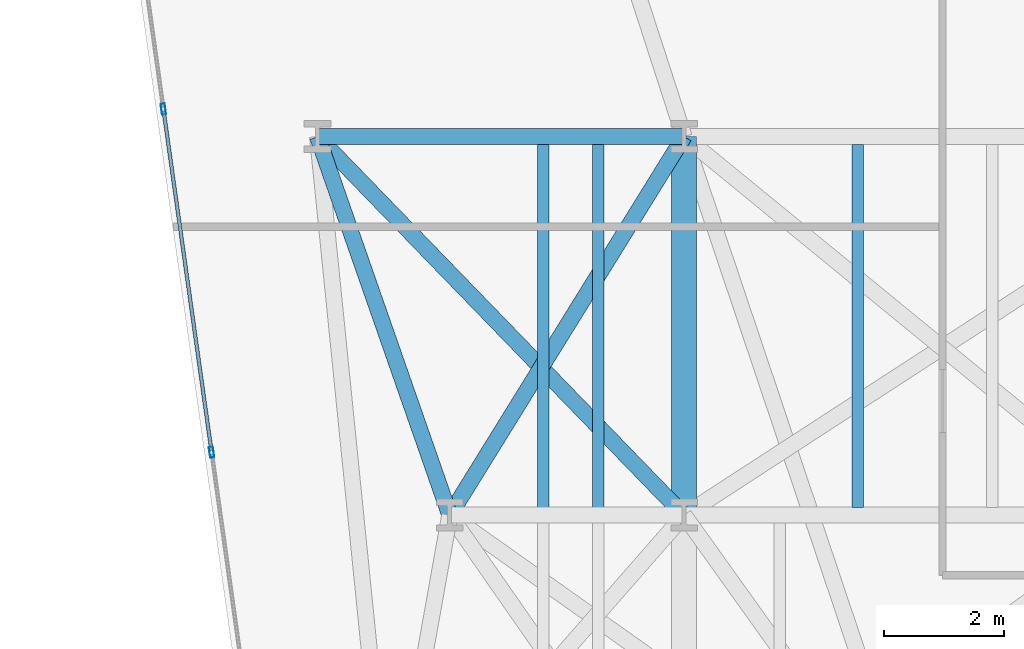
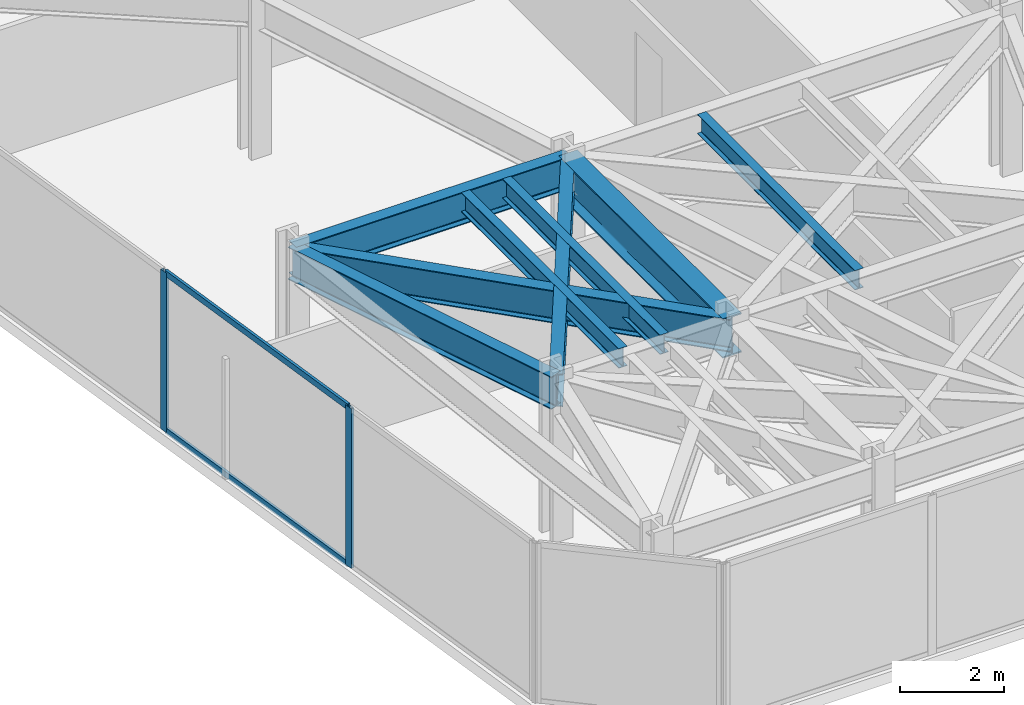
# One storey, part 4 of 24: 8 beams, 4 members, 1 element without a shape of its own.
"""IFC4 building model written with IfcOpenShell, lengths in metres."""

from ifc_helpers import new_model, si_unit, direction, frame, origin, origin_2d, place, context, subcontext, project, spatial, hollow_rectangle, i_section, extrude, material, layer, layer_set, material_profile, profile_set, type_object, element, aggregate, save


model = new_model("IFC4")

# Units and contexts
model_context = context("Model", 3, precision=1e-05, world=origin(), true_north=direction((0.0, 1.0)))
body_context = subcontext(model_context, "Body", "Model", "MODEL_VIEW")
ifc_project = project(units=[si_unit("LENGTHUNIT", "METRE"), si_unit("AREAUNIT", "SQUARE_METRE"), si_unit("VOLUMEUNIT", "CUBIC_METRE"), si_unit("PLANEANGLEUNIT", "RADIAN"), si_unit("MASSUNIT", "GRAM", prefix="KILO")], contexts=[model_context])

# Site, building, storey
site_placement = place(None, origin())
site = spatial("IfcSite", under=ifc_project, at=site_placement, CompositionType="ELEMENT")
building_placement = place(site_placement, origin())
building = spatial("IfcBuilding", under=site, at=building_placement, Name="Kravanh Interchange Tower", CompositionType="ELEMENT")
storey_placement = place(building_placement, frame((0.0, 0.0, 37.5)))
storey = spatial("IfcBuildingStorey", under=building, at=storey_placement, Name="L08", CompositionType="ELEMENT", Elevation=37.5)

# Curtain wall, members
ifc_material_1 = material(Name="Anodised Bronze Aluminium", Category="aluminium")
ifc_layer = layer(ifc_material_1, 0.179931640625)
ifc_layer_set = layer_set([ifc_layer], Name="Unitised Curtain Wall System CW-Z1 Lower Office")
curtain_wall_type = type_object("IfcCurtainWallType", Name="Unitised Curtain Wall System CW-Z1 Lower Office", PredefinedType="NOTDEFINED", material=ifc_layer_set)
curtain_wall_placement = place(storey_placement, origin())
curtain_wall = element("IfcCurtainWall", 1, at=curtain_wall_placement, inside=storey, type_object=curtain_wall_type, Name="L08 Unitised Curtain Wall CW-L08-01", PredefinedType="NOTDEFINED")
ifc_material_2 = material(Name="Anodised Bronze Aluminium", Category="aluminium")
ifc_material_profile_1 = material_profile(ifc_material_2, hollow_rectangle(XDim=0.070068359375, YDim=0.179931640625, WallThickness=0.00390625, at=origin_2d()), Name="ALU70X180X4")
ifc_profile_set_1 = profile_set([ifc_material_profile_1], Name="Anodised Bronze Aluminium")
member_type_1 = type_object("IfcMemberType", Name="Curtain Wall Mullion ALU70X180X4 Bronze", PredefinedType="MULLION", material=ifc_profile_set_1)
member_1_placement = place(storey_placement, frame((9.6376953125, 9.247314453125, 0.0), z_axis=(0.0, 0.0, 1.0), x_axis=(-0.990267585682, -0.139176538065, 0.0)))
member_1 = element("IfcMember", 2, at=member_1_placement, type_object=member_type_1, Name="CW-Z1 mullion 2", PredefinedType="MULLION", context=body_context, shape_type="SweptSolid", body=[
    extrude(hollow_rectangle(XDim=0.070068359375, YDim=0.179931640625, WallThickness=0.00390625, at=origin_2d()), origin(), (0.0, 0.0, 1.0), 3.739990234375),
])
member_2_placement = place(storey_placement, frame((8.835205078125, 14.957763671875, 0.0), z_axis=(0.0, 0.0, 1.0), x_axis=(-0.990267585682, -0.139176538065, 0.0)))
member_2 = element("IfcMember", 3, at=member_2_placement, type_object=member_type_1, Name="CW-Z1 mullion 3", PredefinedType="MULLION", context=body_context, shape_type="SweptSolid", body=[
    extrude(hollow_rectangle(XDim=0.070068359375, YDim=0.179931640625, WallThickness=0.00390625, at=origin_2d()), origin(), (0.0, 0.0, 1.0), 3.739990234375),
])
ifc_material_3 = material(Name="Anodised Bronze Aluminium", Category="aluminium")
ifc_material_profile_2 = material_profile(ifc_material_3, hollow_rectangle(XDim=0.06005859375, YDim=0.139892578125, WallThickness=0.00390625, at=origin_2d()), Name="ALU60X140X4")
ifc_profile_set_2 = profile_set([ifc_material_profile_2], Name="Anodised Bronze Aluminium")
member_type_2 = type_object("IfcMemberType", Name="Curtain Wall Transom ALU60X140X4 Bronze", PredefinedType="USERDEFINED", material=ifc_profile_set_2)
member_3_placement = place(storey_placement, frame((9.633056640625, 9.281982421875, 0.030029296875), z_axis=(-0.139200984921, 0.990264149506, 0.0), x_axis=(-0.990264149506, -0.139200984921, 0.0)))
member_3 = element("IfcMember", 4, at=member_3_placement, type_object=member_type_2, Name="CW-Z1 transom 2.1", ObjectType="TRANSOM", PredefinedType="USERDEFINED", context=body_context, shape_type="SweptSolid", body=[
    extrude(hollow_rectangle(XDim=0.06005859375, YDim=0.139892578125, WallThickness=0.00390625, at=origin_2d()), origin(), (0.0, 0.0, 1.0), 5.696533203125),
])
member_4_placement = place(storey_placement, frame((9.633056640625, 9.281982421875, 3.7099609375), z_axis=(-0.139200984921, 0.990264149506, 0.0), x_axis=(-0.990264149506, -0.139200984921, 0.0)))
member_4 = element("IfcMember", 5, at=member_4_placement, type_object=member_type_2, Name="CW-Z1 transom 2.2", ObjectType="TRANSOM", PredefinedType="USERDEFINED", context=body_context, shape_type="SweptSolid", body=[
    extrude(hollow_rectangle(XDim=0.06005859375, YDim=0.139892578125, WallThickness=0.00390625, at=origin_2d()), origin(), (0.0, 0.0, 1.0), 5.696533203125),
])
aggregate(curtain_wall, [member_1, member_2, member_3, member_4])

# Beams
ifc_material_4 = material(Name="Structural Steel S355", Category="steel")
ifc_material_profile_3 = material_profile(ifc_material_4, i_section(OverallWidth=0.41796875, OverallDepth=0.927001953125, WebThickness=0.019287109375, FlangeThickness=0.031982421875, FilletRadius=0.028076171875, at=origin_2d()), Name="W36X231")
ifc_profile_set_3 = profile_set([ifc_material_profile_3], Name="Structural Steel S355")
beam_type_1 = type_object("IfcBeamType", Name="Floor Beam W36X231 Structural Steel S355", PredefinedType="BEAM", material=ifc_profile_set_3)
beam_1_placement = place(storey_placement, frame((17.5, 8.199951171875, 3.276611328125), z_axis=(0.0, 1.0, 0.0), x_axis=(-1.0, 0.0, 0.0)))
element("IfcBeam", 6, at=beam_1_placement, inside=storey, type_object=beam_type_1, Name="L08 Primary Floor Girder 136", PredefinedType="BEAM", context=body_context, shape_type="SweptSolid", body=[
    extrude(i_section(OverallWidth=0.41796875, OverallDepth=0.927001953125, WebThickness=0.019287109375, FlangeThickness=0.031982421875, FilletRadius=0.028076171875, at=origin_2d()), origin(), (0.0, 0.0, 1.0), 6.300048828125),
])
ifc_material_5 = material(Name="Structural Steel S355", Category="steel")
ifc_material_profile_4 = material_profile(ifc_material_5, i_section(OverallWidth=0.18994140625, OverallDepth=0.45703125, WebThickness=0.009033203125, FlangeThickness=0.014404296875, FilletRadius=0.01806640625, at=origin_2d()), Name="W18X50")
ifc_profile_set_4 = profile_set([ifc_material_profile_4], Name="Structural Steel S355")
beam_type_2 = type_object("IfcBeamType", Name="Floor Joist W18X50 Structural Steel S355", PredefinedType="JOIST", material=ifc_profile_set_4)
for number, where, z_axis, x_axis, name in (
    (7, (15.159912109375, 8.32861328125, 3.511474609375), (0.0, 1.0, 0.0), (-1.0, 0.0, 0.0), "L08 Secondary Floor Joist 7"),
    (8, (16.070068359375, 8.32861328125, 3.511474609375), (0.0, 1.0, 0.0), (-1.0, 0.0, 0.0), "L08 Secondary Floor Joist 8"),
    (9, (20.389892578125, 8.32861328125, 3.511474609375), (0.0, 1.0, 0.0), (-1.0, 0.0, 0.0), "L08 Secondary Floor Joist 9"),
):
    element("IfcBeam", number, at=place(storey_placement, frame(where, z_axis=z_axis, x_axis=x_axis)), inside=storey, type_object=beam_type_2, Name=name, PredefinedType="JOIST", context=body_context, shape_type="SweptSolid", body=[
        extrude(i_section(OverallWidth=0.18994140625, OverallDepth=0.45703125, WebThickness=0.009033203125, FlangeThickness=0.014404296875, FilletRadius=0.01806640625, at=origin_2d()), origin(), (0.0, 0.0, 1.0), 6.04296875),
    ])
ifc_material_6 = material(Name="Structural Steel S355", Category="steel")
ifc_material_profile_5 = material_profile(ifc_material_6, i_section(OverallWidth=0.26708984375, OverallDepth=0.761962890625, WebThickness=0.014404296875, FlangeThickness=0.021484375, FilletRadius=0.02490234375, at=origin_2d()), Name="W30X116")
ifc_profile_set_5 = profile_set([ifc_material_profile_5], Name="Structural Steel S355")
beam_type_3 = type_object("IfcBeamType", Name="Floor Spandrel W30X116 Structural Steel S355", PredefinedType="SPANDREL", material=ifc_profile_set_5)
beam_2_placement = place(storey_placement, frame((13.60009765625, 8.199951171875, 3.35888671875), z_axis=(-0.329706642337, 0.944083433812, 0.0), x_axis=(-0.944083433812, -0.329706642337, 0.0)))
element("IfcBeam", 10, at=beam_2_placement, inside=storey, type_object=beam_type_3, Name="L08 Perimeter Spandrel 134", PredefinedType="SPANDREL", context=body_context, shape_type="SweptSolid", body=[
    extrude(i_section(OverallWidth=0.26708984375, OverallDepth=0.761962890625, WebThickness=0.014404296875, FlangeThickness=0.021484375, FilletRadius=0.02490234375, at=origin_2d()), origin(), (0.0, 0.0, 1.0), 6.673095703125),
])
beam_3_placement = place(storey_placement, frame((13.60009765625, 8.199951171875, 3.35888671875), z_axis=(0.5263421368, 0.850272870923, 0.0), x_axis=(-0.850272870923, 0.5263421368, 0.0)))
element("IfcBeam", 11, at=beam_3_placement, inside=storey, type_object=beam_type_3, Name="L08 Perimeter Spandrel 135", PredefinedType="SPANDREL", context=body_context, shape_type="SweptSolid", body=[
    extrude(i_section(OverallWidth=0.26708984375, OverallDepth=0.761962890625, WebThickness=0.014404296875, FlangeThickness=0.021484375, FilletRadius=0.02490234375, at=origin_2d()), origin(), (0.0, 0.0, 1.0), 7.409423828125),
])
beam_4_placement = place(storey_placement, frame((17.5, 8.199951171875, 3.35888671875), z_axis=(-0.695614323867, 0.718415417729, 0.0), x_axis=(-0.718415417729, -0.695614323867, 0.0)))
element("IfcBeam", 12, at=beam_4_placement, inside=storey, type_object=beam_type_3, Name="L08 Perimeter Spandrel 138", PredefinedType="SPANDREL", context=body_context, shape_type="SweptSolid", body=[
    extrude(i_section(OverallWidth=0.26708984375, OverallDepth=0.761962890625, WebThickness=0.014404296875, FlangeThickness=0.021484375, FilletRadius=0.02490234375, at=origin_2d()), origin(), (0.0, 0.0, 1.0), 8.769287109375),
])
beam_5_placement = place(storey_placement, frame((11.39990234375, 14.5, 3.35888671875), z_axis=(1.0, 0.0, 0.0), x_axis=(0.0, 1.0, 0.0)))
element("IfcBeam", 13, at=beam_5_placement, inside=storey, type_object=beam_type_3, Name="L08 Perimeter Spandrel 143", PredefinedType="SPANDREL", context=body_context, shape_type="SweptSolid", body=[
    extrude(i_section(OverallWidth=0.26708984375, OverallDepth=0.761962890625, WebThickness=0.014404296875, FlangeThickness=0.021484375, FilletRadius=0.02490234375, at=origin_2d()), origin(), (0.0, 0.0, 1.0), 6.10009765625),
])

save(model, "model.ifc")
